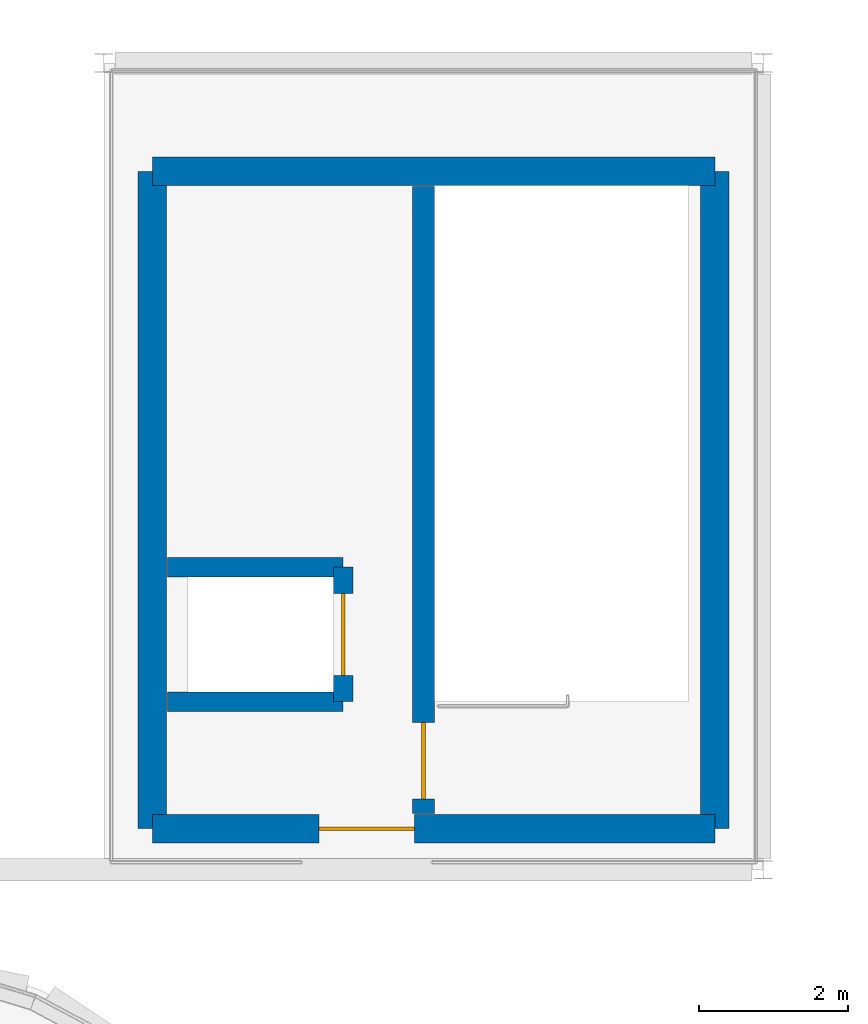
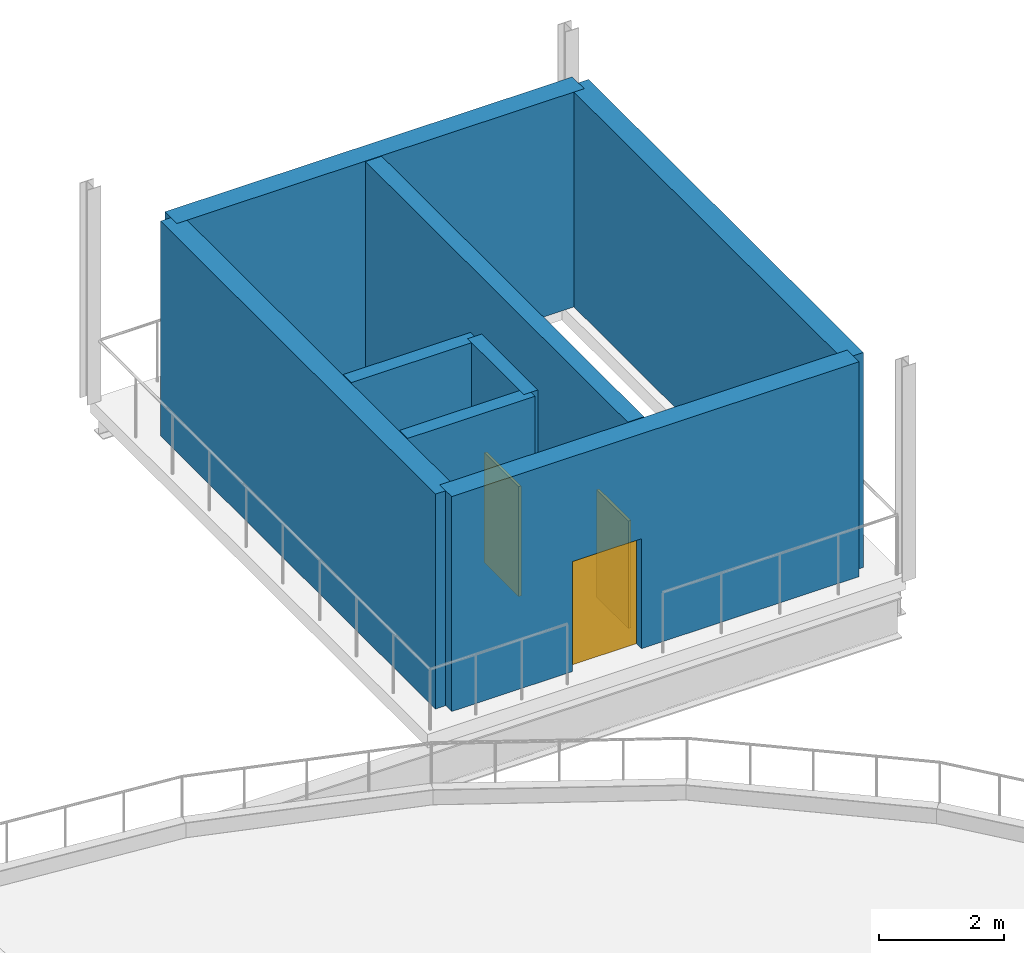
# One storey, part 48 of 58: 8 walls, 3 doors, 3 openings.
"""IFC4 building model written with IfcOpenShell, lengths in metres."""

from ifc_helpers import new_model, si_unit, direction, frame, frame_2d, origin, place, context, subcontext, project, spatial, rectangle, extrude, material, layer, layer_set, type_object, element, fill, save


model = new_model("IFC4")

# Units and contexts
model_context = context("Model", 3, precision=1e-05, world=origin(), true_north=direction((0.0, 1.0)))
body_context = subcontext(model_context, "Body", "Model", "MODEL_VIEW")
ifc_project = project(units=[si_unit("LENGTHUNIT", "METRE"), si_unit("AREAUNIT", "SQUARE_METRE"), si_unit("VOLUMEUNIT", "CUBIC_METRE"), si_unit("PLANEANGLEUNIT", "RADIAN"), si_unit("MASSUNIT", "GRAM", prefix="KILO")], contexts=[model_context])

# Site, building, storey
site_placement = place(None, origin())
site = spatial("IfcSite", under=ifc_project, at=site_placement, CompositionType="ELEMENT")
building_placement = place(site_placement, origin())
building = spatial("IfcBuilding", under=site, at=building_placement, Name="Yeouljin Market Hall", CompositionType="ELEMENT")
storey_placement = place(building_placement, frame((0.0, 0.0, 10.800048828125)))
storey = spatial("IfcBuildingStorey", under=building, at=storey_placement, Name="L02", CompositionType="ELEMENT", Elevation=10.800048828125)

# Wall, opening, door
ifc_material_1 = material(Name="Concrete C35/45", Category="concrete")
ifc_layer_1 = layer(ifc_material_1, 0.260009765625)
ifc_layer_set_1 = layer_set([ifc_layer_1], Name="Concrete C35/45")
wall_type_1 = type_object("IfcWallType", Name="Wall_Compartment_260", PredefinedType="SHEAR", material=ifc_layer_set_1)
wall_1_placement = place(storey_placement, frame((153.114990234375, 80.25, 0.0), z_axis=(0.0, 0.0, 1.0), x_axis=(0.0, 1.0, 0.0)))
wall_1 = element("IfcWall", 1, at=wall_1_placement, inside=storey, type_object=wall_type_1, Name="Lift LP-04 hoistway front wall (L02)", PredefinedType="SHEAR", context=body_context, shape_type="SweptSolid", body=[
    extrude(rectangle(XDim=1.800048828125, YDim=0.260009765625, at=frame_2d((0.89990234375, 0.0))), origin(), (0.0, 0.0, 1.0), 4.199951171875),
])
opening_1_placement = place(wall_1_placement, frame((0.35009765625, 0.0, 0.0)))
opening_1 = element("IfcOpeningElement", 2, at=opening_1_placement, cuts=wall_1, Name="Opening LD-LP-04-L02", PredefinedType="OPENING", context=body_context, shape_type="SweptSolid", body=[
    extrude(rectangle(XDim=1.10009765625, YDim=2.14990234375, at=frame_2d((0.550048828125, 1.074951171875))), frame((0.0, 0.139892578125, 0.0), z_axis=(0.0, -1.0, 0.0), x_axis=(1.0, 0.0, 0.0)), (0.0, 0.0, 1.0), 0.280029296875),
])
ifc_material_2 = material(Name="Brushed Stainless Steel", Category="steel")
door_type_1 = type_object("IfcDoorType", Name="LD-110", OperationType="SLIDING_TO_LEFT", PredefinedType="DOOR", material=ifc_material_2)
door_1_placement = place(opening_1_placement, origin())
door_1 = element("IfcDoor", 3, at=door_1_placement, inside=storey, type_object=door_type_1, Name="Lift landing sliding door LD-LP-04-L02", OperationType="SLIDING_TO_LEFT", OverallHeight=2.14990234375, OverallWidth=1.10009765625, PredefinedType="DOOR", context=body_context, shape_type="SweptSolid", body=[
    extrude(rectangle(XDim=1.10009765625, YDim=2.14990234375, at=frame_2d((0.550048828125, 1.074951171875))), frame((0.0, 0.02490234375, 0.0), z_axis=(0.0, -1.0, 0.0), x_axis=(1.0, 0.0, 0.0)), (0.0, 0.0, 1.0), 0.050048828125),
])
fill(opening_1, door_1)

# Walls
for number, where, z_axis, x_axis, name in (
    (4, (150.760009765625, 80.25, 0.0), (0.0, 0.0, 1.0), (1.0, 0.0, 0.0), "Lift LP-04 shaft cheek wall S (L02)"),
    (5, (150.760009765625, 82.050048828125, 0.0), (0.0, 0.0, 1.0), (1.0, 0.0, 0.0), "Lift LP-04 shaft cheek wall N (L02)"),
):
    element("IfcWall", number, at=place(storey_placement, frame(where, z_axis=z_axis, x_axis=x_axis)), inside=storey, type_object=wall_type_1, Name=name, PredefinedType="SHEAR", context=body_context, shape_type="SweptSolid", body=[
        extrude(rectangle(XDim=2.35498046875, YDim=0.260009765625, at=frame_2d((1.177490234375, 0.0))), origin(), (0.0, 0.0, 1.0), 4.199951171875),
    ])

# Wall, opening, door
ifc_material_3 = material(Name="Concrete C35/45", Category="concrete")
ifc_layer_2 = layer(ifc_material_3, 0.3798828125)
ifc_layer_set_2 = layer_set([ifc_layer_2], Name="Concrete C35/45")
wall_type_2 = type_object("IfcWallType", Name="Wall_CoreShear_380", PredefinedType="SHEAR", material=ifc_layer_set_2)
wall_2_placement = place(storey_placement, frame((150.56005859375, 78.550048828125, 0.0), z_axis=(0.0, 0.0, 1.0), x_axis=(1.0, 0.0, 0.0)))
wall_2 = element("IfcWall", 6, at=wall_2_placement, inside=storey, type_object=wall_type_2, Name="Core C4 south shear wall (L02)", PredefinedType="SHEAR", context=body_context, shape_type="SweptSolid", body=[
    extrude(rectangle(XDim=7.530029296875, YDim=0.3798828125, at=frame_2d((3.76513671875, 0.0))), origin(), (0.0, 0.0, 1.0), 4.199951171875),
])
opening_2_placement = place(wall_2_placement, frame((2.22998046875, 0.0, 0.0)))
opening_2 = element("IfcOpeningElement", 7, at=opening_2_placement, cuts=wall_2, Name="Opening FD-C4-L02-01", PredefinedType="OPENING", context=body_context, shape_type="SweptSolid", body=[
    extrude(rectangle(XDim=1.280029296875, YDim=2.14990234375, at=frame_2d((0.64013671875, 1.074951171875))), frame((0.0, 0.199951171875, 0.0), z_axis=(0.0, -1.0, 0.0), x_axis=(1.0, 0.0, 0.0)), (0.0, 0.0, 1.0), 0.39990234375),
])
ifc_material_4 = material(Name="Painted Fire-Rated Steel", Category="steel")
door_type_2 = type_object("IfcDoorType", Name="DT-FD128", OperationType="NOTDEFINED", PredefinedType="DOOR", material=ifc_material_4)
door_2_placement = place(opening_2_placement, origin())
door_2 = element("IfcDoor", 8, at=door_2_placement, inside=storey, type_object=door_type_2, Name="Core C4 lobby fire door (L02)", OperationType="SINGLE_SWING_LEFT", OverallHeight=2.14990234375, OverallWidth=1.280029296875, PredefinedType="DOOR", context=body_context, shape_type="SweptSolid", body=[
    extrude(rectangle(XDim=1.280029296875, YDim=2.14990234375, at=frame_2d((0.64013671875, 1.074951171875))), frame((0.0, 0.02490234375, 0.0), z_axis=(0.0, -1.0, 0.0), x_axis=(1.0, 0.0, 0.0)), (0.0, 0.0, 1.0), 0.050048828125),
])
fill(opening_2, door_2)

# Walls
wall_3_placement = place(storey_placement, frame((158.090087890625, 87.35009765625, 0.0), z_axis=(0.0, 0.0, 1.0), x_axis=(-1.0, 0.0, 0.0)))
element("IfcWall", 9, at=wall_3_placement, inside=storey, type_object=wall_type_2, Name="Core C4 north shear wall (L02)", PredefinedType="SHEAR", context=body_context, shape_type="SweptSolid", body=[
    extrude(rectangle(XDim=7.530029296875, YDim=0.3798828125, at=frame_2d((3.76513671875, 0.0))), origin(), (0.0, 0.0, 1.0), 4.199951171875),
])
for number, where, z_axis, x_axis, name in (
    (10, (150.56005859375, 87.35009765625, 0.0), (0.0, 0.0, 1.0), (0.0, -1.0, 0.0), "Core C4 west shear wall (L02)"),
    (11, (158.090087890625, 78.550048828125, 0.0), (0.0, 0.0, 1.0), (0.0, 1.0, 0.0), "Core C4 east shear wall (L02)"),
):
    element("IfcWall", number, at=place(storey_placement, frame(where, z_axis=z_axis, x_axis=x_axis)), inside=storey, type_object=wall_type_2, Name=name, PredefinedType="SHEAR", context=body_context, shape_type="SweptSolid", body=[
        extrude(rectangle(XDim=8.800048828125, YDim=0.3798828125, at=frame_2d((4.39990234375, 0.0))), origin(), (0.0, 0.0, 1.0), 4.199951171875),
    ])

# Wall, opening, door
ifc_material_5 = material(Name="Concrete C35/45", Category="concrete")
ifc_layer_3 = layer(ifc_material_5, 0.300048828125)
ifc_layer_set_3 = layer_set([ifc_layer_3], Name="Concrete C35/45")
wall_type_3 = type_object("IfcWallType", Name="Wall_ShaftShear_300", PredefinedType="SHEAR", material=ifc_layer_set_3)
wall_4_placement = place(storey_placement, frame((154.18994140625, 78.75, 0.0), z_axis=(0.0, 0.0, 1.0), x_axis=(0.0, 1.0, 0.0)))
wall_4 = element("IfcWall", 12, at=wall_4_placement, inside=storey, type_object=wall_type_3, Name="Core C4 stairwell divider wall (L02)", PredefinedType="SHEAR", context=body_context, shape_type="SweptSolid", body=[
    extrude(rectangle(XDim=8.39990234375, YDim=0.300048828125, at=frame_2d((4.199951171875, 0.0))), origin(), (0.0, 0.0, 1.0), 4.199951171875),
])
opening_3_placement = place(wall_4_placement, frame((0.199951171875, 0.0, 0.0)))
opening_3 = element("IfcOpeningElement", 13, at=opening_3_placement, cuts=wall_4, Name="Opening SD-C4-L02", PredefinedType="OPENING", context=body_context, shape_type="SweptSolid", body=[
    extrude(rectangle(XDim=1.02001953125, YDim=2.10009765625, at=frame_2d((0.510009765625, 1.050048828125))), frame((0.0, 0.159912109375, 0.0), z_axis=(0.0, -1.0, 0.0), x_axis=(1.0, 0.0, 0.0)), (0.0, 0.0, 1.0), 0.320068359375),
])
ifc_material_6 = material(Name="Painted Fire-Rated Steel", Category="steel")
door_type_3 = type_object("IfcDoorType", Name="DT-FD102", OperationType="NOTDEFINED", PredefinedType="DOOR", material=ifc_material_6)
door_3_placement = place(opening_3_placement, origin())
door_3 = element("IfcDoor", 14, at=door_3_placement, inside=storey, type_object=door_type_3, Name="Core C4 exit stair door (L02)", OperationType="SINGLE_SWING_RIGHT", OverallHeight=2.10009765625, OverallWidth=1.02001953125, PredefinedType="DOOR", context=body_context, shape_type="SweptSolid", body=[
    extrude(rectangle(XDim=1.02001953125, YDim=2.10009765625, at=frame_2d((0.510009765625, 1.050048828125))), frame((0.0, 0.02490234375, 0.0), z_axis=(0.0, -1.0, 0.0), x_axis=(1.0, 0.0, 0.0)), (0.0, 0.0, 1.0), 0.050048828125),
])
fill(opening_3, door_3)

save(model, "model.ifc")
